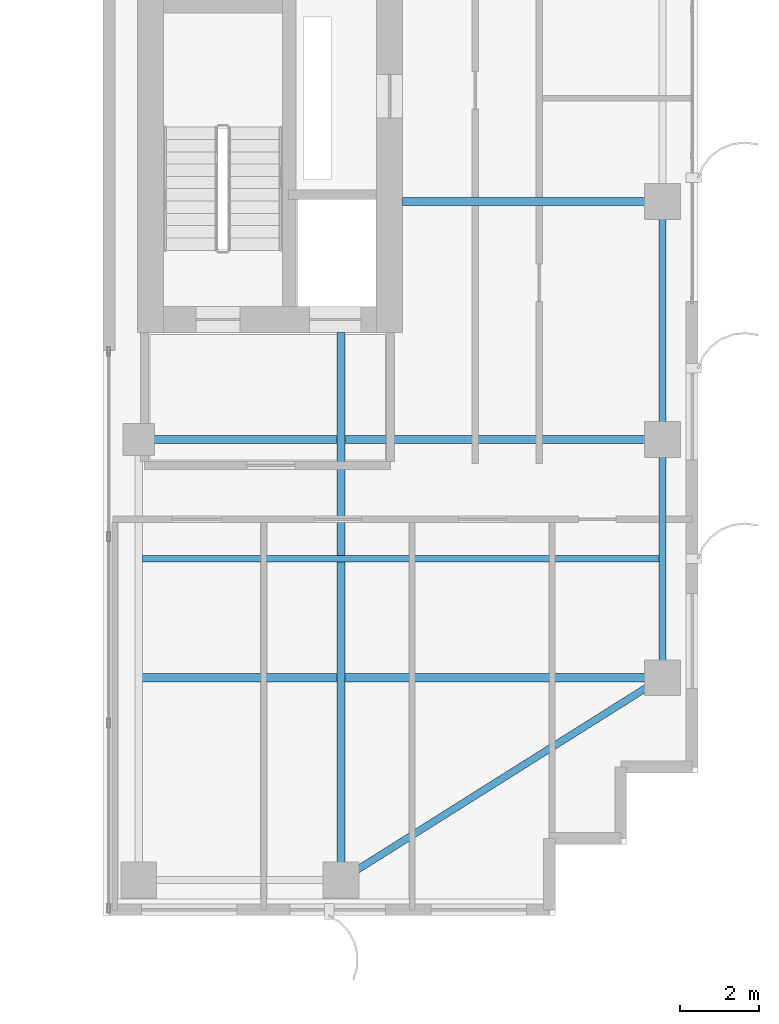
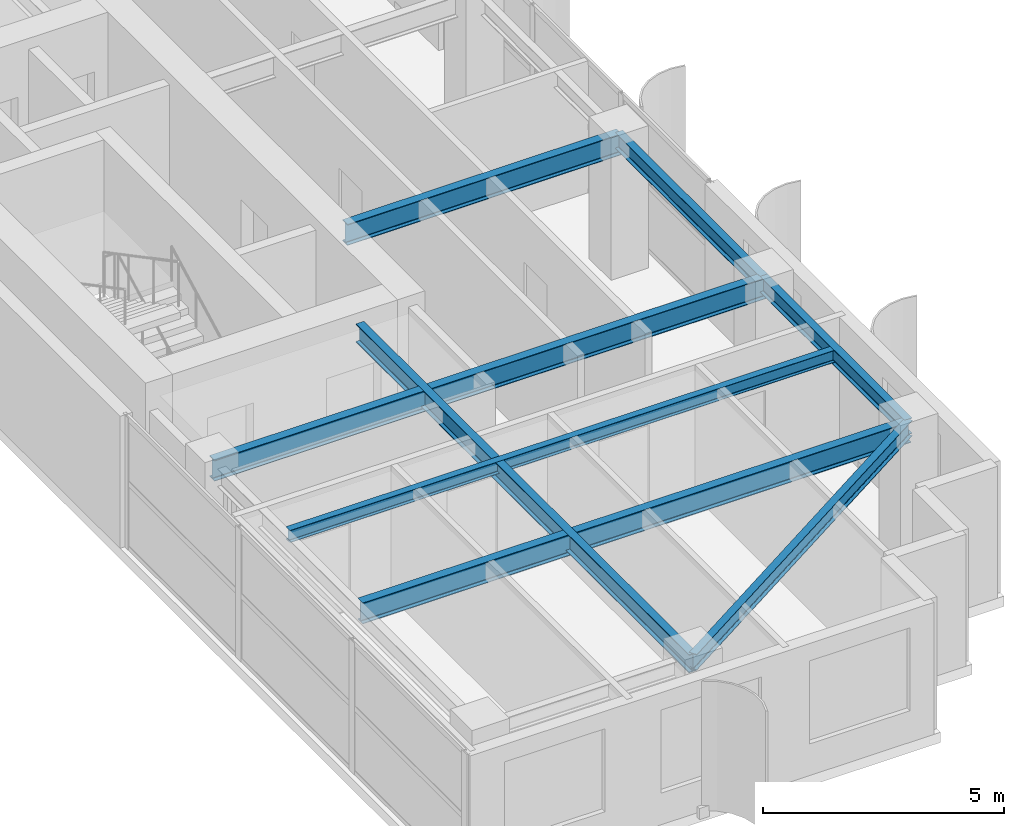
# One storey, part 10 of 22: 8 beams.
"""IFC4 building model written with IfcOpenShell, lengths in metres."""

from ifc_helpers import new_model, si_unit, direction, frame, origin, origin_2d, place, context, subcontext, project, spatial, i_section, extrude, source, transform, mapped, material, material_profile, profile_set, type_object, element, save


model = new_model("IFC4")

# Units and contexts
model_context = context("Model", 3, precision=1e-05, world=origin(), true_north=direction((0.0, 1.0)))
body_context = subcontext(model_context, "Body", "Model", "MODEL_VIEW")
ifc_project = project(units=[si_unit("LENGTHUNIT", "METRE"), si_unit("AREAUNIT", "SQUARE_METRE"), si_unit("VOLUMEUNIT", "CUBIC_METRE"), si_unit("PLANEANGLEUNIT", "RADIAN"), si_unit("MASSUNIT", "GRAM", prefix="KILO")], contexts=[model_context])

# Site, building, storey
site_placement = place(None, origin())
site = spatial("IfcSite", under=ifc_project, at=site_placement, CompositionType="ELEMENT")
building_placement = place(site_placement, origin())
building = spatial("IfcBuilding", under=site, at=building_placement, Name="Khoralis Quay Care Tower", CompositionType="ELEMENT")
storey_placement = place(building_placement, frame((0.0, 0.0, 191.699951171875)))
storey = spatial("IfcBuildingStorey", under=building, at=storey_placement, Name="L50", CompositionType="ELEMENT", Elevation=191.699951171875)

# Beams
ifc_material = material(Name="Steel S355", Category="steel")
ifc_material_profile_1 = material_profile(ifc_material, i_section(OverallWidth=0.179931640625, OverallDepth=0.39990234375, WebThickness=0.008544921875, FlangeThickness=0.013427734375, FilletRadius=0.02099609375, at=origin_2d()), Name="Steel S355")
ifc_profile_set_1 = profile_set([ifc_material_profile_1], Name="Steel S355")
beam_type_1 = type_object("IfcBeamType", Name="BM-IPE400", PredefinedType="SPANDREL", material=ifc_profile_set_1)
shared_shape_1 = source(origin(), body_context, "Body", "SweptSolid", [
    extrude(i_section(OverallWidth=0.179931640625, OverallDepth=0.39990234375, WebThickness=0.008544921875, FlangeThickness=0.013427734375, FilletRadius=0.02099609375, at=origin_2d()), origin(), (0.0, 0.0, 1.0), 6.0),
])
for number, where, z_axis, x_axis, name in (
    (1, (44.10009765625, 6.0, 3.14013671875), (0.0, 1.0, 0.0), (-1.0, 0.0, 0.0), "BM-TSP-L50-10"),
    (2, (44.10009765625, 12.0, 3.14013671875), (0.0, 1.0, 0.0), (-1.0, 0.0, 0.0), "BM-TSP-L50-11"),
):
    element("IfcBeam", number, at=place(storey_placement, frame(where, z_axis=z_axis, x_axis=x_axis)), inside=storey, type_object=beam_type_1, Name=name, PredefinedType="SPANDREL", context=body_context, shape_type="MappedRepresentation", body=[
        mapped(shared_shape_1, transform((0.0, 0.0, 0.0), scale=1.0)),
    ])
shared_shape_2 = source(origin(), body_context, "Body", "SweptSolid", [
    extrude(i_section(OverallWidth=0.179931640625, OverallDepth=0.39990234375, WebThickness=0.008544921875, FlangeThickness=0.013427734375, FilletRadius=0.02099609375, at=origin_2d()), origin(), (0.0, 0.0, 1.0), 9.572021484375),
])
beam_1_placement = place(storey_placement, frame((36.0, 0.89990234375, 3.14013671875), z_axis=(0.846231136359, 0.532815975602, 0.0), x_axis=(-0.532815975602, 0.846231136359, 0.0)))
element("IfcBeam", 3, at=beam_1_placement, inside=storey, type_object=beam_type_1, Name="BM-TCR-L50-16", PredefinedType="SPANDREL", context=body_context, shape_type="MappedRepresentation", body=[
    mapped(shared_shape_2, transform((0.0, 0.0, 0.0), scale=1.0)),
])
ifc_material_profile_2 = material_profile(ifc_material, i_section(OverallWidth=0.208984375, OverallDepth=0.532958984375, WebThickness=0.01025390625, FlangeThickness=0.015625, FilletRadius=0.01611328125, at=origin_2d()), Name="Steel S355")
ifc_profile_set_2 = profile_set([ifc_material_profile_2], Name="Steel S355")
beam_type_2 = type_object("IfcBeamType", Name="BM-W530X92", PredefinedType="BEAM", material=ifc_profile_set_2)
shared_shape_3 = source(origin(), body_context, "Body", "SweptSolid", [
    extrude(i_section(OverallWidth=0.208984375, OverallDepth=0.532958984375, WebThickness=0.01025390625, FlangeThickness=0.015625, FilletRadius=0.01611328125, at=origin_2d()), origin(), (0.0, 0.0, 1.0), 13.1162109375),
])
beam_2_placement = place(storey_placement, frame((30.98388671875, 6.0, 3.073486328125), z_axis=(1.0, 0.0, 0.0), x_axis=(0.0, 1.0, 0.0)))
element("IfcBeam", 4, at=beam_2_placement, inside=storey, type_object=beam_type_2, Name="BM-TGXE-L50-60", PredefinedType="BEAM", context=body_context, shape_type="MappedRepresentation", body=[
    mapped(shared_shape_3, transform((0.0, 0.0, 0.0), scale=1.0)),
])
shared_shape_4 = source(origin(), body_context, "Body", "SweptSolid", [
    extrude(i_section(OverallWidth=0.208984375, OverallDepth=0.532958984375, WebThickness=0.01025390625, FlangeThickness=0.015625, FilletRadius=0.01611328125, at=origin_2d()), origin(), (0.0, 0.0, 1.0), 13.2001953125),
])
beam_3_placement = place(storey_placement, frame((30.89990234375, 12.0, 3.073486328125), z_axis=(1.0, 0.0, 0.0), x_axis=(0.0, 1.0, 0.0)))
element("IfcBeam", 5, at=beam_3_placement, inside=storey, type_object=beam_type_2, Name="BM-TGXE-L50-120", PredefinedType="BEAM", context=body_context, shape_type="MappedRepresentation", body=[
    mapped(shared_shape_4, transform((0.0, 0.0, 0.0), scale=1.0)),
])
shared_shape_5 = source(origin(), body_context, "Body", "SweptSolid", [
    extrude(i_section(OverallWidth=0.208984375, OverallDepth=0.532958984375, WebThickness=0.01025390625, FlangeThickness=0.015625, FilletRadius=0.01611328125, at=origin_2d()), origin(), (0.0, 0.0, 1.0), 6.552001953125),
])
beam_4_placement = place(storey_placement, frame((37.548095703125, 18.0, 3.073486328125), z_axis=(1.0, 0.0, 0.0), x_axis=(0.0, 1.0, 0.0)))
element("IfcBeam", 6, at=beam_4_placement, inside=storey, type_object=beam_type_2, Name="BM-TGXE-L50-180", PredefinedType="BEAM", context=body_context, shape_type="MappedRepresentation", body=[
    mapped(shared_shape_5, transform((0.0, 0.0, 0.0), scale=1.0)),
])
ifc_material_profile_3 = material_profile(ifc_material, i_section(OverallWidth=0.19189453125, OverallDepth=0.462890625, WebThickness=0.010498046875, FlangeThickness=0.017578125, FilletRadius=0.014892578125, at=origin_2d()), Name="Steel S355")
ifc_profile_set_3 = profile_set([ifc_material_profile_3], Name="Steel S355")
beam_type_3 = type_object("IfcBeamType", Name="BM-W460X89", PredefinedType="BEAM", material=ifc_profile_set_3)
shared_shape_6 = source(origin(), body_context, "Body", "SweptSolid", [
    extrude(i_section(OverallWidth=0.19189453125, OverallDepth=0.462890625, WebThickness=0.010498046875, FlangeThickness=0.017578125, FilletRadius=0.014892578125, at=origin_2d()), origin(), (0.0, 0.0, 1.0), 13.802001953125),
])
beam_5_placement = place(storey_placement, frame((36.0, 0.89990234375, 3.108642578125), z_axis=(0.0, 1.0, 0.0), x_axis=(-1.0, 0.0, 0.0)))
element("IfcBeam", 7, at=beam_5_placement, inside=storey, type_object=beam_type_3, Name="BM-TGYS-L50-360", PredefinedType="BEAM", context=body_context, shape_type="MappedRepresentation", body=[
    mapped(shared_shape_6, transform((0.0, 0.0, 0.0), scale=1.0)),
])
ifc_material_profile_4 = material_profile(ifc_material, i_section(OverallWidth=0.1650390625, OverallDepth=0.31005859375, WebThickness=0.005859375, FlangeThickness=0.009765625, FilletRadius=0.011962890625, at=origin_2d()), Name="Steel S355")
ifc_profile_set_4 = profile_set([ifc_material_profile_4], Name="Steel S355")
beam_type_4 = type_object("IfcBeamType", Name="BM-W310X39", PredefinedType="JOIST", material=ifc_profile_set_4)
shared_shape_7 = source(origin(), body_context, "Body", "SweptSolid", [
    extrude(i_section(OverallWidth=0.1650390625, OverallDepth=0.31005859375, WebThickness=0.005859375, FlangeThickness=0.009765625, FilletRadius=0.011962890625, at=origin_2d()), origin(), (0.0, 0.0, 1.0), 13.0400390625),
])
beam_6_placement = place(storey_placement, frame((30.98388671875, 9.0, 3.18505859375), z_axis=(1.0, 0.0, 0.0), x_axis=(0.0, 1.0, 0.0)))
element("IfcBeam", 8, at=beam_6_placement, inside=storey, type_object=beam_type_4, Name="BM-TJS-L50-20", PredefinedType="JOIST", context=body_context, shape_type="MappedRepresentation", body=[
    mapped(shared_shape_7, transform((0.0, 0.0, 0.0), scale=1.0)),
])

save(model, "model.ifc")
